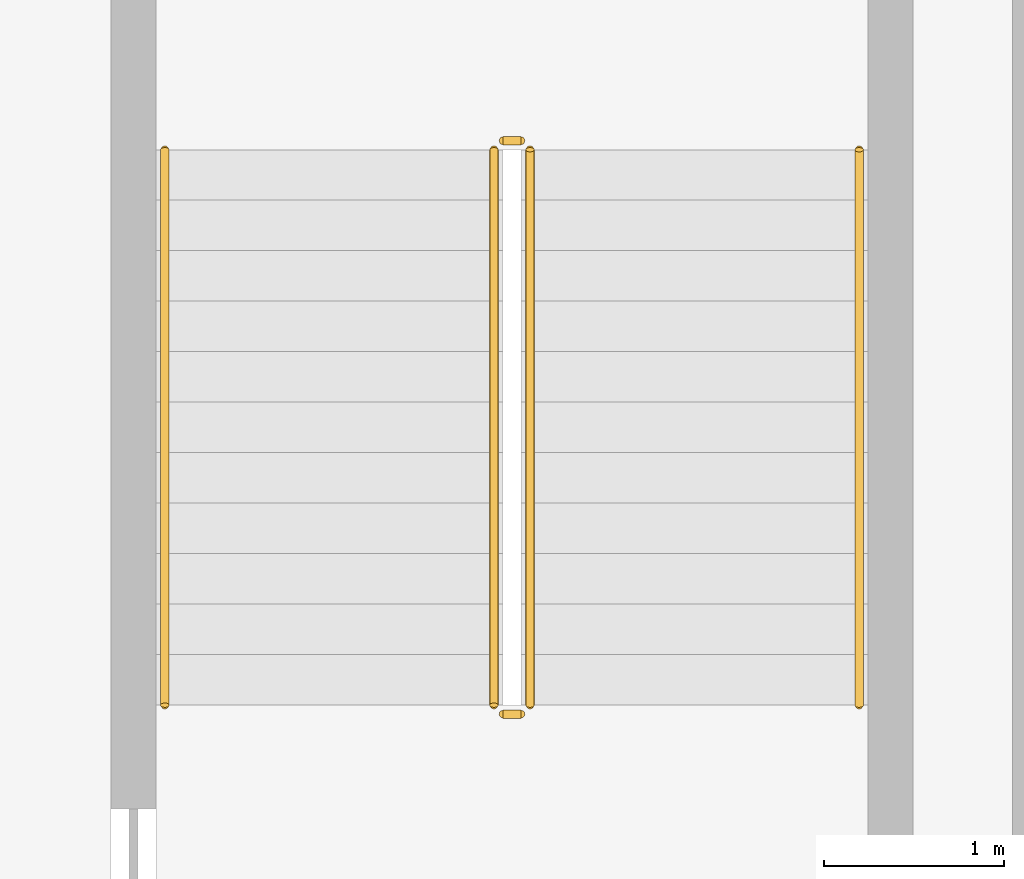
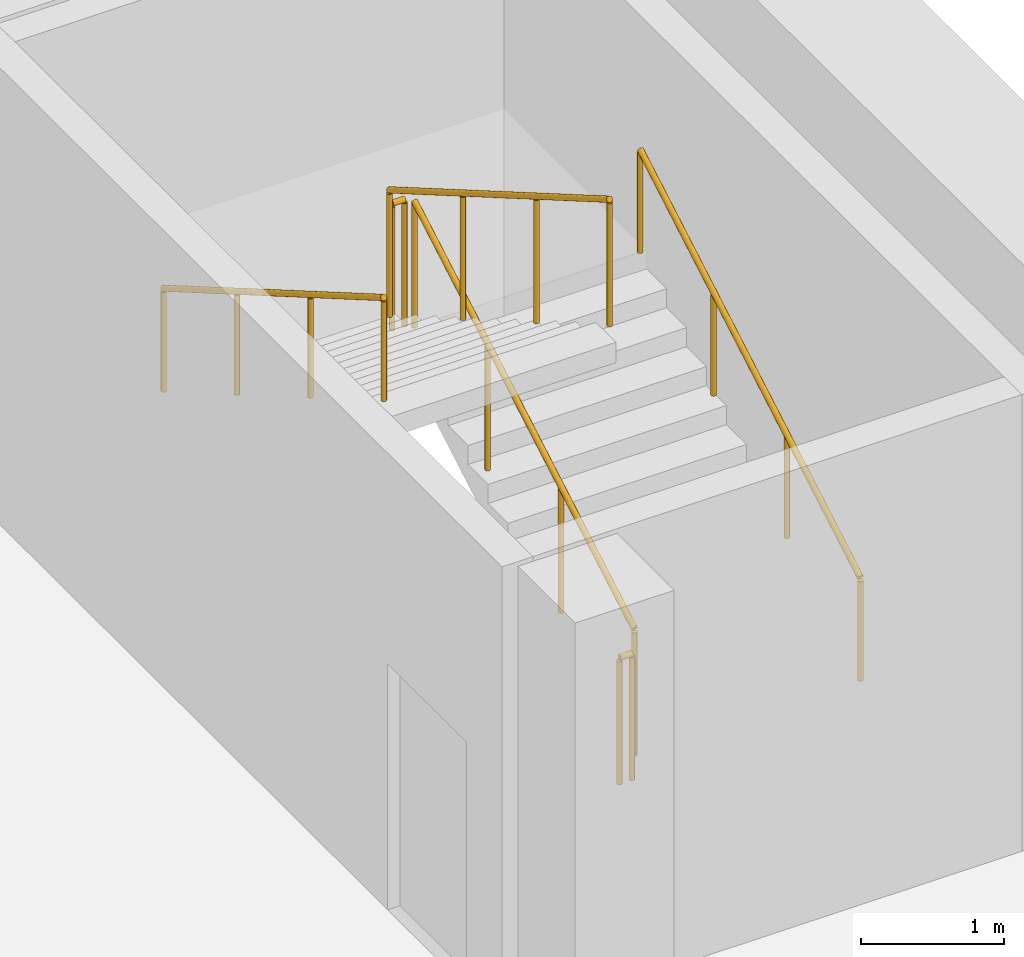
# One storey, part 22 of 25: 6 railings.
"""IFC4 building model written with IfcOpenShell, lengths in metres."""

from ifc_helpers import new_model, si_unit, direction, frame, origin, origin_2d, place, context, subcontext, project, spatial, circle, extrude, material, type_object, element, save


model = new_model("IFC4")

# Units and contexts
model_context = context("Model", 3, precision=1e-05, world=origin(), true_north=direction((0.0, 1.0)))
body_context = subcontext(model_context, "Body", "Model", "MODEL_VIEW")
ifc_project = project(units=[si_unit("LENGTHUNIT", "METRE"), si_unit("AREAUNIT", "SQUARE_METRE"), si_unit("VOLUMEUNIT", "CUBIC_METRE"), si_unit("PLANEANGLEUNIT", "RADIAN"), si_unit("MASSUNIT", "GRAM", prefix="KILO")], contexts=[model_context])

# Site, building, storey
site_placement = place(None, origin())
site = spatial("IfcSite", under=ifc_project, at=site_placement, CompositionType="ELEMENT")
building_placement = place(site_placement, origin())
building = spatial("IfcBuilding", under=site, at=building_placement, Name="Verdalira Terraces Hotel", CompositionType="ELEMENT")
storey_placement = place(building_placement, frame((0.0, 0.0, -7.800049)))
storey = spatial("IfcBuildingStorey", under=building, at=storey_placement, Name="B2", CompositionType="ELEMENT", Elevation=-7.800048828125)

# Railings
ifc_material_1 = material(Name="Stainless steel", Category="steel")
railing_type_1 = type_object("IfcRailingType", Name="Stair guard 1100", PredefinedType="GUARDRAIL", material=ifc_material_1)
railing_1_placement = place(storey_placement, frame((50.324951, -30.975098, 0.162598)))
element("IfcRailing", 1, at=railing_1_placement, inside=storey, type_object=railing_type_1, Name="B2 Basement stair 2 stair guard 1", PredefinedType="GUARDRAIL", context=body_context, shape_type="SweptSolid", body=[
    extrude(circle(Radius=0.023926, at=origin_2d()), frame((0.0, 0.0, 1.076172), z_axis=(0.0, 0.864920483, 0.501908914), x_axis=(-1.0, 0.0, 0.0)), (0.0, 0.0, 1.0), 3.561035),
    extrude(circle(Radius=0.020996, at=origin_2d()), origin(), (0.0, 0.0, 1.0), 1.052002),
    extrude(circle(Radius=0.020996, at=origin_2d()), frame((0.0, 1.026611, 0.595703)), (0.0, 0.0, 1.0), 1.052002),
    extrude(circle(Radius=0.020996, at=origin_2d()), frame((0.0, 2.053467, 1.19165)), (0.0, 0.0, 1.0), 1.052002),
    extrude(circle(Radius=0.020996, at=origin_2d()), frame((0.0, 3.080078, 1.787354)), (0.0, 0.0, 1.0), 1.052002),
])
railing_2_placement = place(storey_placement, frame((50.274902, -27.844971, 1.949951)))
element("IfcRailing", 2, at=railing_2_placement, inside=storey, type_object=railing_type_1, Name="B2 Basement stair 2 stair guard 2", PredefinedType="GUARDRAIL", context=body_context, shape_type="SweptSolid", body=[
    extrude(circle(Radius=0.023926, at=origin_2d()), frame((0.0, 0.0, 1.076172), z_axis=(-1.0, 0.0, 0.0), x_axis=(0.0, -1.0, 0.0)), (0.0, 0.0, 1.0), 0.099854),
    extrude(circle(Radius=0.020996, at=origin_2d()), origin(), (0.0, 0.0, 1.0), 1.052002),
    extrude(circle(Radius=0.020996, at=origin_2d()), frame((-0.099854, 0.0, 0.0)), (0.0, 0.0, 1.0), 1.052002),
])
railing_3_placement = place(storey_placement, frame((50.125, -27.89502, 2.112549)))
element("IfcRailing", 3, at=railing_3_placement, inside=storey, type_object=railing_type_1, Name="B2 Basement stair 2 stair guard 3", PredefinedType="GUARDRAIL", context=body_context, shape_type="SweptSolid", body=[
    extrude(circle(Radius=0.023926, at=origin_2d()), frame((0.0, 0.0, 1.076172), z_axis=(0.0, -0.864890721, 0.501960198), x_axis=(1.0, 0.0, 0.0)), (0.0, 0.0, 1.0), 3.561279),
    extrude(circle(Radius=0.020996, at=origin_2d()), origin(), (0.0, 0.0, 1.0), 1.052002),
    extrude(circle(Radius=0.020996, at=origin_2d()), frame((0.0, -1.026611, 0.595947)), (0.0, 0.0, 1.0), 1.052002),
    extrude(circle(Radius=0.020996, at=origin_2d()), frame((0.0, -2.053467, 1.19165)), (0.0, 0.0, 1.0), 1.052002),
    extrude(circle(Radius=0.020996, at=origin_2d()), frame((0.0, -3.080078, 1.787598)), (0.0, 0.0, 1.0), 1.052002),
])
railing_4_placement = place(storey_placement, frame((50.274902, -31.024902, 0.0)))
element("IfcRailing", 4, at=railing_4_placement, inside=storey, type_object=railing_type_1, Name="B2 Basement stair 2 stair guard 4", PredefinedType="GUARDRAIL", context=body_context, shape_type="SweptSolid", body=[
    extrude(circle(Radius=0.023926, at=origin_2d()), frame((0.0, 0.0, 1.076172), z_axis=(-1.0, 0.0, 0.0), x_axis=(0.0, -1.0, 0.0)), (0.0, 0.0, 1.0), 0.099854),
    extrude(circle(Radius=0.020996, at=origin_2d()), origin(), (0.0, 0.0, 1.0), 1.052002),
    extrude(circle(Radius=0.020996, at=origin_2d()), frame((-0.099854, 0.0, 0.0)), (0.0, 0.0, 1.0), 1.052002),
])
ifc_material_2 = material(Name="Stainless steel", Category="steel")
railing_type_2 = type_object("IfcRailingType", Name="Stair handrail 900", PredefinedType="HANDRAIL", material=ifc_material_2)
railing_5_placement = place(storey_placement, frame((52.149902, -30.975098, 0.162598)))
element("IfcRailing", 5, at=railing_5_placement, inside=storey, type_object=railing_type_2, Name="B2 Basement stair 2 stair handrail 1", PredefinedType="HANDRAIL", context=body_context, shape_type="SweptSolid", body=[
    extrude(circle(Radius=0.023926, at=origin_2d()), frame((0.0, 0.0, 0.875977), z_axis=(0.0, 0.864920483, 0.501908914), x_axis=(-1.0, 0.0, 0.0)), (0.0, 0.0, 1.0), 3.561035),
    extrude(circle(Radius=0.020996, at=origin_2d()), origin(), (0.0, 0.0, 1.0), 0.851807),
    extrude(circle(Radius=0.020996, at=origin_2d()), frame((0.0, 1.026611, 0.595703)), (0.0, 0.0, 1.0), 0.851807),
    extrude(circle(Radius=0.020996, at=origin_2d()), frame((0.0, 2.053467, 1.19165)), (0.0, 0.0, 1.0), 0.851807),
    extrude(circle(Radius=0.020996, at=origin_2d()), frame((0.0, 3.080078, 1.787354)), (0.0, 0.0, 1.0), 0.851807),
])
railing_6_placement = place(storey_placement, frame((48.300049, -27.89502, 2.112549)))
element("IfcRailing", 6, at=railing_6_placement, inside=storey, type_object=railing_type_2, Name="B2 Basement stair 2 stair handrail 2", PredefinedType="HANDRAIL", context=body_context, shape_type="SweptSolid", body=[
    extrude(circle(Radius=0.023926, at=origin_2d()), frame((0.0, 0.0, 0.875977), z_axis=(0.0, -0.864890721, 0.501960198), x_axis=(1.0, 0.0, 0.0)), (0.0, 0.0, 1.0), 3.561279),
    extrude(circle(Radius=0.020996, at=origin_2d()), origin(), (0.0, 0.0, 1.0), 0.851807),
    extrude(circle(Radius=0.020996, at=origin_2d()), frame((0.0, -1.026611, 0.595947)), (0.0, 0.0, 1.0), 0.851807),
    extrude(circle(Radius=0.020996, at=origin_2d()), frame((0.0, -2.053467, 1.19165)), (0.0, 0.0, 1.0), 0.851807),
    extrude(circle(Radius=0.020996, at=origin_2d()), frame((0.0, -3.080078, 1.787598)), (0.0, 0.0, 1.0), 0.851807),
])

save(model, "model.ifc")
